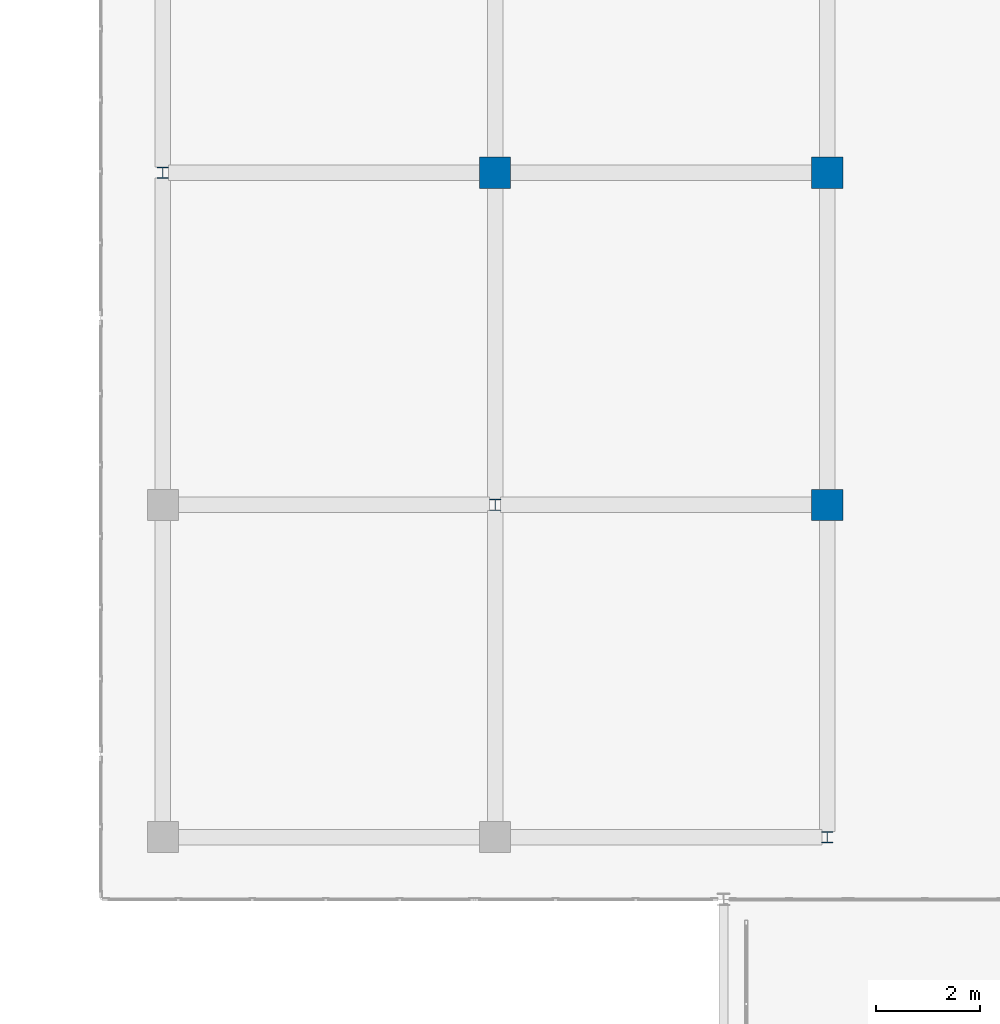
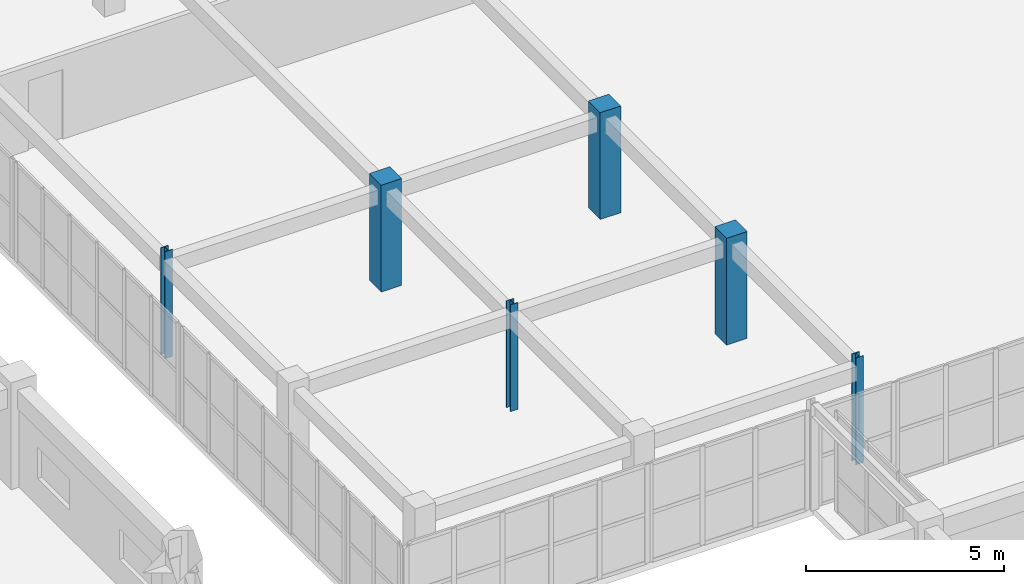
# One storey, part 4 of 200: 6 columns.
"""IFC4 building model written with IfcOpenShell, lengths in metres."""

from ifc_helpers import new_model, si_unit, direction, frame, origin, origin_2d, place, context, subcontext, project, spatial, rectangle, i_section, extrude, material, material_profile, profile_set, type_object, element, save


model = new_model("IFC4")

# Units and contexts
model_context = context("Model", 3, precision=1e-05, world=origin(), true_north=direction((0.0, 1.0)))
body_context = subcontext(model_context, "Body", "Model", "MODEL_VIEW")
ifc_project = project(units=[si_unit("LENGTHUNIT", "METRE"), si_unit("AREAUNIT", "SQUARE_METRE"), si_unit("VOLUMEUNIT", "CUBIC_METRE"), si_unit("PLANEANGLEUNIT", "RADIAN"), si_unit("MASSUNIT", "GRAM", prefix="KILO")], contexts=[model_context])

# Site, building, storey
site_placement = place(None, origin())
site = spatial("IfcSite", under=ifc_project, at=site_placement, CompositionType="ELEMENT")
building_placement = place(site_placement, origin())
building = spatial("IfcBuilding", under=site, at=building_placement, Name="Trelvath General Hospital", CompositionType="ELEMENT")
storey_placement = place(building_placement, frame((0.0, 0.0, 4.800048828125)))
storey = spatial("IfcBuildingStorey", under=building, at=storey_placement, Name="L01", CompositionType="ELEMENT", Elevation=4.800048828125)

# Columns
ifc_material_1 = material(Name="Concrete C40/50", Category="concrete")
ifc_material_profile_1 = material_profile(ifc_material_1, rectangle(XDim=0.60009765625, YDim=0.60009765625, at=origin_2d()), Name="RC600x600")
ifc_profile_set_1 = profile_set([ifc_material_profile_1], Name="Concrete C40/50")
column_type_1 = type_object("IfcColumnType", Name="Column RC600", PredefinedType="COLUMN", material=ifc_profile_set_1)
for number, where, z_axis, x_axis, name in (
    (1, (54.39990234375, 44.800048828125, 0.0), (0.0, 0.0, 1.0), (1.0, 0.0, 0.0), "Cube Interior Column CC-W31 L01"),
    (2, (60.800048828125, 38.39990234375, 0.0), (0.0, 0.0, 1.0), (1.0, 0.0, 0.0), "Cube Interior Column CC-W37 L01"),
    (3, (60.800048828125, 44.800048828125, 0.0), (0.0, 0.0, 1.0), (1.0, 0.0, 0.0), "Cube Interior Column CC-W38 L01"),
):
    element("IfcColumn", number, at=place(storey_placement, frame(where, z_axis=z_axis, x_axis=x_axis)), inside=storey, type_object=column_type_1, Name=name, PredefinedType="COLUMN", context=body_context, shape_type="SweptSolid", body=[
        extrude(rectangle(XDim=0.60009765625, YDim=0.60009765625, at=origin_2d()), origin(), (0.0, 0.0, 1.0), 3.300048828125),
    ])
ifc_material_2 = material(Name="Steel S355", Category="steel")
ifc_material_profile_2 = material_profile(ifc_material_2, i_section(OverallWidth=0.219970703125, OverallDepth=0.219970703125, WebThickness=0.009521484375, FlangeThickness=0.01611328125, at=origin_2d()), Name="HEB220")
ifc_profile_set_2 = profile_set([ifc_material_profile_2], Name="Steel S355")
column_type_2 = type_object("IfcColumnType", Name="CubePost HEB220", PredefinedType="COLUMN", material=ifc_profile_set_2)
for number, where, z_axis, x_axis, name in (
    (4, (48.0, 44.800048828125, 0.0), (0.0, 0.0, 1.0), (1.0, 0.0, 0.0), "Cube Interior Column CC-W24 L01"),
    (5, (54.39990234375, 38.39990234375, 0.0), (0.0, 0.0, 1.0), (1.0, 0.0, 0.0), "Cube Interior Column CC-W30 L01"),
    (6, (60.800048828125, 32.0, 0.0), (0.0, 0.0, 1.0), (1.0, 0.0, 0.0), "Cube Interior Column CC-W36 L01"),
):
    element("IfcColumn", number, at=place(storey_placement, frame(where, z_axis=z_axis, x_axis=x_axis)), inside=storey, type_object=column_type_2, Name=name, PredefinedType="COLUMN", context=body_context, shape_type="SweptSolid", body=[
        extrude(i_section(OverallWidth=0.219970703125, OverallDepth=0.219970703125, WebThickness=0.009521484375, FlangeThickness=0.01611328125, at=origin_2d()), origin(), (0.0, 0.0, 1.0), 3.300048828125),
    ])

save(model, "model.ifc")
